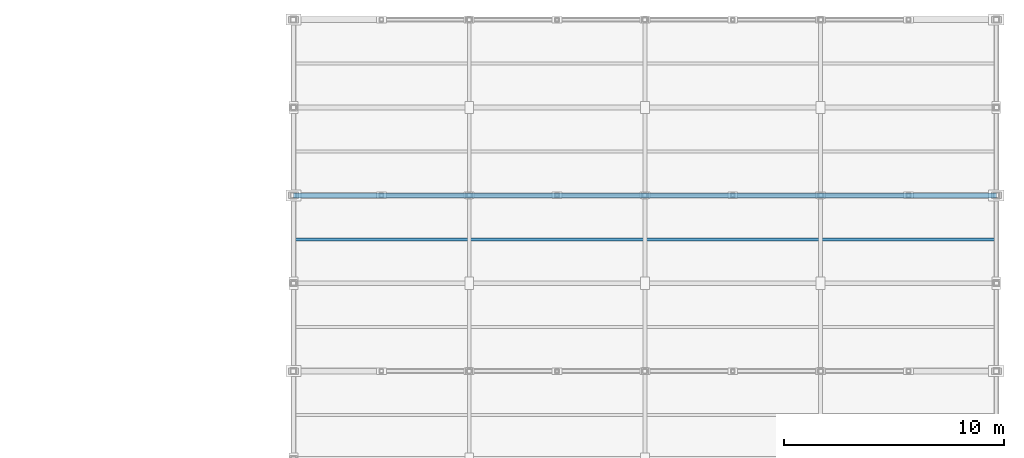
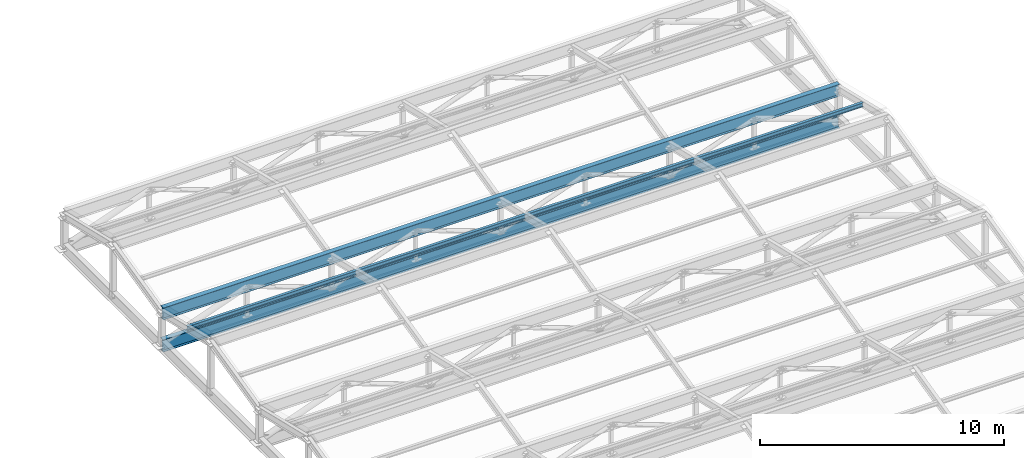
# One storey, part 60 of 112: 3 members.
"""IFC4 building model written with IfcOpenShell, lengths in metres."""

from ifc_helpers import new_model, si_unit, direction, frame, origin, origin_2d, place, context, subcontext, project, spatial, i_section, extrude, material, material_profile, profile_set, type_object, element, save


model = new_model("IFC4")

# Units and contexts
model_context = context("Model", 3, precision=1e-05, world=origin(), true_north=direction((0.0, 1.0)))
body_context = subcontext(model_context, "Body", "Model", "MODEL_VIEW")
ifc_project = project(units=[si_unit("LENGTHUNIT", "METRE"), si_unit("AREAUNIT", "SQUARE_METRE"), si_unit("VOLUMEUNIT", "CUBIC_METRE"), si_unit("PLANEANGLEUNIT", "RADIAN"), si_unit("MASSUNIT", "GRAM", prefix="KILO")], contexts=[model_context])

# Site, building, storey
site_placement = place(None, origin())
site = spatial("IfcSite", under=ifc_project, at=site_placement, CompositionType="ELEMENT")
building_placement = place(site_placement, origin())
building = spatial("IfcBuilding", under=site, at=building_placement, Name="Celadon Cloister-Ring School", CompositionType="ELEMENT")
storey_placement = place(building_placement, frame((0.0, 0.0, 8.5)))
storey = spatial("IfcBuildingStorey", under=building, at=storey_placement, Name="L02", CompositionType="ELEMENT", Elevation=8.5)

# Members
ifc_material_1 = material(Name="Structural steel S355JR", Category="steel")
ifc_material_profile_1 = material_profile(ifc_material_1, i_section(OverallWidth=0.22900390625, OverallDepth=0.612060546875, WebThickness=0.011962890625, FlangeThickness=0.01953125, at=origin_2d()), Name="W610X125")
ifc_profile_set_1 = profile_set([ifc_material_profile_1], Name="Structural steel S355JR")
member_type_1 = type_object("IfcMemberType", Name="MC-01", PredefinedType="CHORD", material=ifc_profile_set_1)
member_1_placement = place(storey_placement, frame((142.0, 106.0, 0.89990234375), z_axis=(1.0, 0.0, 0.0), x_axis=(0.0, 1.0, 0.0)))
element("IfcMember", 1, at=member_1_placement, inside=storey, type_object=member_type_1, Name="Structural Member 0471", PredefinedType="CHORD", context=body_context, shape_type="SweptSolid", body=[
    extrude(i_section(OverallWidth=0.22900390625, OverallDepth=0.612060546875, WebThickness=0.011962890625, FlangeThickness=0.01953125, at=origin_2d()), origin(), (0.0, 0.0, 1.0), 32.0),
])
ifc_material_2 = material(Name="Structural steel S355JR", Category="steel")
ifc_material_profile_2 = material_profile(ifc_material_2, i_section(OverallWidth=0.22802734375, OverallDepth=0.60302734375, WebThickness=0.010498046875, FlangeThickness=0.014892578125, at=origin_2d()), Name="W610X101")
ifc_profile_set_2 = profile_set([ifc_material_profile_2], Name="Structural steel S355JR")
member_type_2 = type_object("IfcMemberType", Name="MC-02", PredefinedType="CHORD", material=ifc_profile_set_2)
member_2_placement = place(storey_placement, frame((142.0, 106.0, 2.5), z_axis=(1.0, 0.0, 0.0), x_axis=(0.0, 1.0, 0.0)))
element("IfcMember", 2, at=member_2_placement, inside=storey, type_object=member_type_2, Name="Structural Member 0472", PredefinedType="CHORD", context=body_context, shape_type="SweptSolid", body=[
    extrude(i_section(OverallWidth=0.22802734375, OverallDepth=0.60302734375, WebThickness=0.010498046875, FlangeThickness=0.014892578125, at=origin_2d()), origin(), (0.0, 0.0, 1.0), 32.0),
])
ifc_material_3 = material(Name="Structural steel S355JR", Category="steel")
ifc_material_profile_3 = material_profile(ifc_material_3, i_section(OverallWidth=0.133056640625, OverallDepth=0.20703125, WebThickness=0.005859375, FlangeThickness=0.00830078125, at=origin_2d()), Name="W200X27")
ifc_profile_set_3 = profile_set([ifc_material_profile_3], Name="Structural steel S355JR")
member_type_3 = type_object("IfcMemberType", Name="MP-04", PredefinedType="PURLIN", material=ifc_profile_set_3)
member_3_placement = place(storey_placement, frame((142.02001953125, 104.0, 2.949951171875), z_axis=(1.0, 0.0, 0.0), x_axis=(0.0, 1.0, 0.0)))
element("IfcMember", 3, at=member_3_placement, inside=storey, type_object=member_type_3, Name="Structural Member 0566", PredefinedType="PURLIN", context=body_context, shape_type="SweptSolid", body=[
    extrude(i_section(OverallWidth=0.133056640625, OverallDepth=0.20703125, WebThickness=0.005859375, FlangeThickness=0.00830078125, at=origin_2d()), origin(), (0.0, 0.0, 1.0), 31.9599609375),
])

save(model, "model.ifc")
